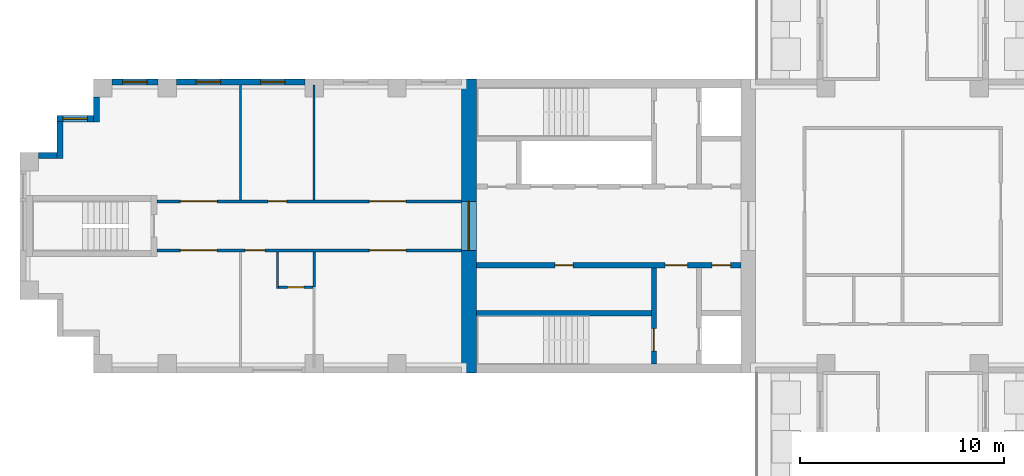
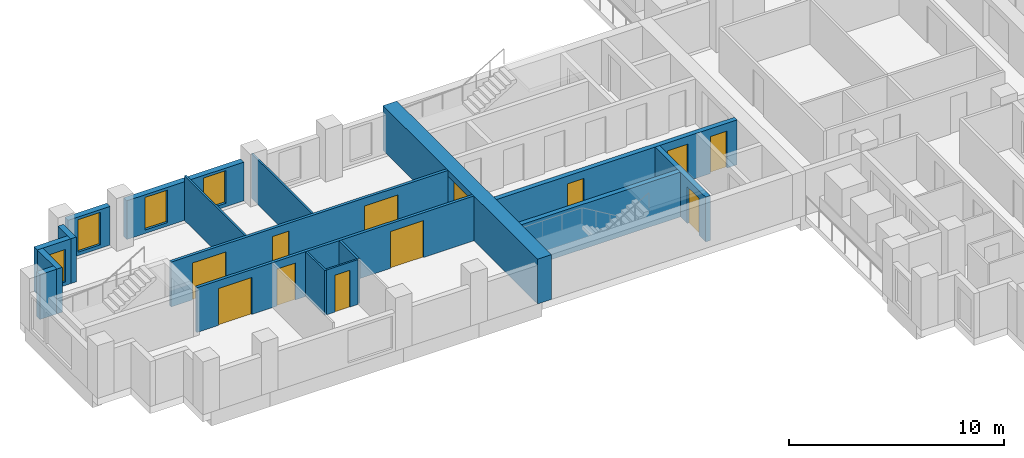
# One storey, part 3 of 12: 17 walls, 12 doors, 4 windows, 16 openings.
"""IFC4 building model written with IfcOpenShell, lengths in metres."""

from ifc_helpers import new_model, si_unit, direction, frame, frame_2d, origin, place, context, subcontext, project, spatial, rectangle, extrude, material, layer, layer_set, type_object, element, fill, save


model = new_model("IFC4")

# Units and contexts
model_context = context("Model", 3, precision=1e-05, world=origin(), true_north=direction((0.0, 1.0)))
body_context = subcontext(model_context, "Body", "Model", "MODEL_VIEW")
ifc_project = project(units=[si_unit("LENGTHUNIT", "METRE"), si_unit("AREAUNIT", "SQUARE_METRE"), si_unit("VOLUMEUNIT", "CUBIC_METRE"), si_unit("PLANEANGLEUNIT", "RADIAN"), si_unit("MASSUNIT", "GRAM", prefix="KILO")], contexts=[model_context])

# Site, building, storey
site_placement = place(None, origin())
site = spatial("IfcSite", under=ifc_project, at=site_placement, CompositionType="ELEMENT")
building_placement = place(site_placement, origin())
building = spatial("IfcBuilding", under=site, at=building_placement, Name="Fustian Cross Tower", CompositionType="ELEMENT")
storey_placement = place(building_placement, frame((0.0, 0.0, 159.300048828125)))
storey = spatial("IfcBuildingStorey", under=building, at=storey_placement, Name="L50", CompositionType="ELEMENT", Elevation=159.300048828125)

# Wall, openings, doors
ifc_material_1 = material(Name="Plasterboard on steel stud", Category="steel")
ifc_layer_1 = layer(ifc_material_1, 0.14990234375)
ifc_layer_set_1 = layer_set([ifc_layer_1], Name="Plasterboard on steel stud")
wall_type_1 = type_object("IfcWallType", Name="COMPARTMENT WALL 150 EI 60", PredefinedType="PARTITIONING", material=ifc_layer_set_1)
wall_1_placement = place(storey_placement, frame((-36.5, -1.199951171875, 0.0), z_axis=(0.0, 0.0, 1.0), x_axis=(1.0, 0.0, 0.0)))
wall_1 = element("IfcWall", 1, at=wall_1_placement, inside=storey, type_object=wall_type_1, Name="Partition 1", PredefinedType="PARTITIONING", context=body_context, shape_type="SweptSolid", body=[
    extrude(rectangle(XDim=14.89990234375, YDim=0.14990234375, at=frame_2d((7.449951171875, 0.0))), origin(), (0.0, 0.0, 1.0), 2.550048828125),
])
opening_1_placement = place(wall_1_placement, frame((10.39990234375, 0.0, 0.0)))
opening_1 = element("IfcOpeningElement", 2, at=opening_1_placement, cuts=wall_1, Name="Opening D22026", PredefinedType="OPENING", context=body_context, shape_type="SweptSolid", body=[
    extrude(rectangle(XDim=1.800048828125, YDim=2.10009765625, at=frame_2d((0.89990234375, 1.050048828125))), frame((0.0, 0.0849609375, 0.0), z_axis=(0.0, -1.0, 0.0), x_axis=(1.0, 0.0, 0.0)), (0.0, 0.0, 1.0), 0.169921875),
])
opening_2_placement = place(wall_1_placement, frame((4.300048828125, 0.0, 0.0)))
opening_2 = element("IfcOpeningElement", 3, at=opening_2_placement, cuts=wall_1, Name="Opening D22028", PredefinedType="OPENING", context=body_context, shape_type="SweptSolid", body=[
    extrude(rectangle(XDim=1.0, YDim=2.10009765625, at=frame_2d((0.5, 1.050048828125))), frame((0.0, 0.0849609375, 0.0), z_axis=(0.0, -1.0, 0.0), x_axis=(1.0, 0.0, 0.0)), (0.0, 0.0, 1.0), 0.169921875),
])
opening_3_placement = place(wall_1_placement, frame((1.14990234375, 0.0, 0.0)))
opening_3 = element("IfcOpeningElement", 4, at=opening_3_placement, cuts=wall_1, Name="Opening D22029", PredefinedType="OPENING", context=body_context, shape_type="SweptSolid", body=[
    extrude(rectangle(XDim=1.800048828125, YDim=2.10009765625, at=frame_2d((0.89990234375, 1.050048828125))), frame((0.0, 0.0849609375, 0.0), z_axis=(0.0, -1.0, 0.0), x_axis=(1.0, 0.0, 0.0)), (0.0, 0.0, 1.0), 0.169921875),
])
ifc_material_2 = material(Name="Timber fire door set", Category="wood")
door_type_1 = type_object("IfcDoorType", Name="FIRE DOUBLE DOOR 1800 FD30S", OperationType="DOUBLE_DOOR_DOUBLE_SWING", PredefinedType="DOOR", material=ifc_material_2)
door_1_placement = place(opening_1_placement, origin())
door_1 = element("IfcDoor", 5, at=door_1_placement, inside=storey, type_object=door_type_1, Name="Door D22026", OperationType="DOUBLE_DOOR_DOUBLE_SWING", OverallHeight=2.10009765625, OverallWidth=1.800048828125, PredefinedType="DOOR", context=body_context, shape_type="SweptSolid", body=[
    extrude(rectangle(XDim=1.800048828125, YDim=2.10009765625, at=frame_2d((0.89990234375, 1.050048828125))), frame((0.0, 0.02490234375, 0.0), z_axis=(0.0, -1.0, 0.0), x_axis=(1.0, 0.0, 0.0)), (0.0, 0.0, 1.0), 0.050048828125),
])
fill(opening_1, door_1)
door_2_placement = place(opening_3_placement, origin())
door_2 = element("IfcDoor", 6, at=door_2_placement, inside=storey, type_object=door_type_1, Name="Door D22029", OperationType="DOUBLE_DOOR_DOUBLE_SWING", OverallHeight=2.10009765625, OverallWidth=1.800048828125, PredefinedType="DOOR", context=body_context, shape_type="SweptSolid", body=[
    extrude(rectangle(XDim=1.800048828125, YDim=2.10009765625, at=frame_2d((0.89990234375, 1.050048828125))), frame((0.0, 0.02490234375, 0.0), z_axis=(0.0, -1.0, 0.0), x_axis=(1.0, 0.0, 0.0)), (0.0, 0.0, 1.0), 0.050048828125),
])
fill(opening_3, door_2)
ifc_material_3 = material(Name="Timber fire door set", Category="wood")
door_type_2 = type_object("IfcDoorType", Name="FIRE SWING DOOR 1000 FD30S", OperationType="SINGLE_SWING_LEFT", PredefinedType="DOOR", material=ifc_material_3)
door_3_placement = place(opening_2_placement, frame((1.0, 0.0, 0.0), z_axis=(0.0, 0.0, 1.0), x_axis=(-1.0, 0.0, 0.0)))
door_3 = element("IfcDoor", 7, at=door_3_placement, inside=storey, type_object=door_type_2, Name="Door D22028", OperationType="SINGLE_SWING_RIGHT", OverallHeight=2.10009765625, OverallWidth=1.0, PredefinedType="DOOR", context=body_context, shape_type="SweptSolid", body=[
    extrude(rectangle(XDim=1.0, YDim=2.10009765625, at=frame_2d((0.5, 1.050048828125))), frame((0.0, 0.02490234375, 0.0), z_axis=(0.0, -1.0, 0.0), x_axis=(1.0, 0.0, 0.0)), (0.0, 0.0, 1.0), 0.050048828125),
])
fill(opening_2, door_3)

wall_2_placement = place(storey_placement, frame((-36.5, 1.199951171875, 0.0), z_axis=(0.0, 0.0, 1.0), x_axis=(1.0, 0.0, 0.0)))
wall_2 = element("IfcWall", 8, at=wall_2_placement, inside=storey, type_object=wall_type_1, Name="Partition 2", PredefinedType="PARTITIONING", context=body_context, shape_type="SweptSolid", body=[
    extrude(rectangle(XDim=14.89990234375, YDim=0.14990234375, at=frame_2d((7.449951171875, 0.0))), origin(), (0.0, 0.0, 1.0), 2.550048828125),
])
opening_4_placement = place(wall_2_placement, frame((10.39990234375, 0.0, 0.0)))
opening_4 = element("IfcOpeningElement", 9, at=opening_4_placement, cuts=wall_2, Name="Opening D22030", PredefinedType="OPENING", context=body_context, shape_type="SweptSolid", body=[
    extrude(rectangle(XDim=1.800048828125, YDim=2.10009765625, at=frame_2d((0.89990234375, 1.050048828125))), frame((0.0, 0.0849609375, 0.0), z_axis=(0.0, -1.0, 0.0), x_axis=(1.0, 0.0, 0.0)), (0.0, 0.0, 1.0), 0.169921875),
])
opening_5_placement = place(wall_2_placement, frame((5.449951171875, 0.0, 0.0)))
opening_5 = element("IfcOpeningElement", 10, at=opening_5_placement, cuts=wall_2, Name="Opening D22031", PredefinedType="OPENING", context=body_context, shape_type="SweptSolid", body=[
    extrude(rectangle(XDim=0.89990234375, YDim=2.10009765625, at=frame_2d((0.449951171875, 1.050048828125))), frame((0.0, 0.0849609375, 0.0), z_axis=(0.0, -1.0, 0.0), x_axis=(1.0, 0.0, 0.0)), (0.0, 0.0, 1.0), 0.169921875),
])
opening_6_placement = place(wall_2_placement, frame((1.14990234375, 0.0, 0.0)))
opening_6 = element("IfcOpeningElement", 11, at=opening_6_placement, cuts=wall_2, Name="Opening D22032", PredefinedType="OPENING", context=body_context, shape_type="SweptSolid", body=[
    extrude(rectangle(XDim=1.800048828125, YDim=2.10009765625, at=frame_2d((0.89990234375, 1.050048828125))), frame((0.0, 0.0849609375, 0.0), z_axis=(0.0, -1.0, 0.0), x_axis=(1.0, 0.0, 0.0)), (0.0, 0.0, 1.0), 0.169921875),
])
door_4_placement = place(opening_4_placement, frame((1.800048828125, 0.0, 0.0), z_axis=(0.0, 0.0, 1.0), x_axis=(-1.0, 0.0, 0.0)))
door_4 = element("IfcDoor", 12, at=door_4_placement, inside=storey, type_object=door_type_1, Name="Door D22030", OperationType="DOUBLE_DOOR_DOUBLE_SWING", OverallHeight=2.10009765625, OverallWidth=1.800048828125, PredefinedType="DOOR", context=body_context, shape_type="SweptSolid", body=[
    extrude(rectangle(XDim=1.800048828125, YDim=2.10009765625, at=frame_2d((0.89990234375, 1.050048828125))), frame((0.0, 0.02490234375, 0.0), z_axis=(0.0, -1.0, 0.0), x_axis=(1.0, 0.0, 0.0)), (0.0, 0.0, 1.0), 0.050048828125),
])
fill(opening_4, door_4)
door_5_placement = place(opening_6_placement, frame((1.800048828125, 0.0, 0.0), z_axis=(0.0, 0.0, 1.0), x_axis=(-1.0, 0.0, 0.0)))
door_5 = element("IfcDoor", 13, at=door_5_placement, inside=storey, type_object=door_type_1, Name="Door D22032", OperationType="DOUBLE_DOOR_DOUBLE_SWING", OverallHeight=2.10009765625, OverallWidth=1.800048828125, PredefinedType="DOOR", context=body_context, shape_type="SweptSolid", body=[
    extrude(rectangle(XDim=1.800048828125, YDim=2.10009765625, at=frame_2d((0.89990234375, 1.050048828125))), frame((0.0, 0.02490234375, 0.0), z_axis=(0.0, -1.0, 0.0), x_axis=(1.0, 0.0, 0.0)), (0.0, 0.0, 1.0), 0.050048828125),
])
fill(opening_6, door_5)
ifc_material_4 = material(Name="Timber fire door set", Category="wood")
door_type_3 = type_object("IfcDoorType", Name="FIRE SWING DOOR 900 FD30S", OperationType="SINGLE_SWING_LEFT", PredefinedType="DOOR", material=ifc_material_4)
door_6_placement = place(opening_5_placement, origin())
door_6 = element("IfcDoor", 14, at=door_6_placement, inside=storey, type_object=door_type_3, Name="Door D22031", OperationType="SINGLE_SWING_LEFT", OverallHeight=2.10009765625, OverallWidth=0.89990234375, PredefinedType="DOOR", context=body_context, shape_type="SweptSolid", body=[
    extrude(rectangle(XDim=0.89990234375, YDim=2.10009765625, at=frame_2d((0.449951171875, 1.050048828125))), frame((0.0, 0.02490234375, 0.0), z_axis=(0.0, -1.0, 0.0), x_axis=(1.0, 0.0, 0.0)), (0.0, 0.0, 1.0), 0.050048828125),
])
fill(opening_5, door_6)

# Wall, opening, door
ifc_material_5 = material(Name="Concrete C60/75", Category="concrete")
ifc_layer_2 = layer(ifc_material_5, 0.75)
ifc_layer_set_2 = layer_set([ifc_layer_2], Name="Concrete C60/75")
wall_type_2 = type_object("IfcWallType", Name="CORE END WALL 750 C60/75", PredefinedType="SHEAR", material=ifc_layer_set_2)
wall_3_placement = place(storey_placement, frame((-21.22509765625, -7.199951171875, 0.0), z_axis=(0.0, 0.0, 1.0), x_axis=(0.0, 1.0, 0.0)))
wall_3 = element("IfcWall", 15, at=wall_3_placement, inside=storey, type_object=wall_type_2, Name="Core end wall", PredefinedType="SHEAR", context=body_context, shape_type="SweptSolid", body=[
    extrude(rectangle(XDim=14.39990234375, YDim=0.75, at=frame_2d((7.199951171875, 0.0))), origin(), (0.0, 0.0, 1.0), 2.550048828125),
])
opening_7_placement = place(wall_3_placement, frame((6.0, 0.0, 0.0)))
opening_7 = element("IfcOpeningElement", 16, at=opening_7_placement, cuts=wall_3, Name="Opening CD-19-28", PredefinedType="OPENING", context=body_context, shape_type="SweptSolid", body=[
    extrude(rectangle(XDim=2.39990234375, YDim=2.199951171875, at=frame_2d((1.199951171875, 1.10009765625))), frame((0.0, 0.385009765625, 0.0), z_axis=(0.0, -1.0, 0.0), x_axis=(1.0, 0.0, 0.0)), (0.0, 0.0, 1.0), 0.77001953125),
])
ifc_material_6 = material(Name="Steel", Category="steel")
door_type_4 = type_object("IfcDoorType", Name="FIRE DOOR FD30S DOUBLE 2400X2200", OperationType="DOUBLE_DOOR_DOUBLE_SWING", PredefinedType="DOOR", material=ifc_material_6)
door_7_placement = place(opening_7_placement, frame((2.39990234375, 0.0, 0.0), z_axis=(0.0, 0.0, 1.0), x_axis=(-1.0, 0.0, 0.0)))
door_7 = element("IfcDoor", 17, at=door_7_placement, inside=storey, type_object=door_type_4, Name="Core door CD-19-28", OperationType="DOUBLE_DOOR_DOUBLE_SWING", OverallHeight=2.199951171875, OverallWidth=2.39990234375, PredefinedType="DOOR", context=body_context, shape_type="SweptSolid", body=[
    extrude(rectangle(XDim=2.39990234375, YDim=2.199951171875, at=frame_2d((1.199951171875, 1.10009765625))), frame((0.0, 0.02490234375, 0.0), z_axis=(0.0, -1.0, 0.0), x_axis=(1.0, 0.0, 0.0)), (0.0, 0.0, 1.0), 0.050048828125),
])
fill(opening_7, door_7)

# Wall, openings, doors
ifc_material_7 = material(Name="Concrete C50/60", Category="concrete")
ifc_layer_3 = layer(ifc_material_7, 0.25)
ifc_layer_set_3 = layer_set([ifc_layer_3], Name="Concrete C50/60")
wall_type_3 = type_object("IfcWallType", Name="CORE LOBBY WALL 250 C50/60", PredefinedType="SHEAR", material=ifc_layer_set_3)
wall_4_placement = place(storey_placement, frame((-7.89990234375, -1.925048828125, 0.0), z_axis=(0.0, 0.0, 1.0), x_axis=(-1.0, 0.0, 0.0)))
wall_4 = element("IfcWall", 18, at=wall_4_placement, inside=storey, type_object=wall_type_3, Name="Core lobby wall", PredefinedType="SHEAR", context=body_context, shape_type="SweptSolid", body=[
    extrude(rectangle(XDim=12.9501953125, YDim=0.25, at=frame_2d((6.47509765625, 0.0))), origin(), (0.0, 0.0, 1.0), 2.550048828125),
])
opening_8_placement = place(wall_4_placement, frame((0.52490234375, 0.0, 0.0)))
opening_8 = element("IfcOpeningElement", 19, at=opening_8_placement, cuts=wall_4, Name="Opening CD-19-24", PredefinedType="OPENING", context=body_context, shape_type="SweptSolid", body=[
    extrude(rectangle(XDim=0.89990234375, YDim=2.10009765625, at=frame_2d((0.449951171875, 1.050048828125))), frame((0.0, 0.135009765625, 0.0), z_axis=(0.0, -1.0, 0.0), x_axis=(1.0, 0.0, 0.0)), (0.0, 0.0, 1.0), 0.27001953125),
])
opening_9_placement = place(wall_4_placement, frame((2.625, 0.0, 0.0)))
opening_9 = element("IfcOpeningElement", 20, at=opening_9_placement, cuts=wall_4, Name="Opening CD-19-26", PredefinedType="OPENING", context=body_context, shape_type="SweptSolid", body=[
    extrude(rectangle(XDim=1.10009765625, YDim=2.10009765625, at=frame_2d((0.550048828125, 1.050048828125))), frame((0.0, 0.135009765625, 0.0), z_axis=(0.0, -1.0, 0.0), x_axis=(1.0, 0.0, 0.0)), (0.0, 0.0, 1.0), 0.27001953125),
])
opening_10_placement = place(wall_4_placement, frame((8.22509765625, 0.0, 0.0)))
opening_10 = element("IfcOpeningElement", 21, at=opening_10_placement, cuts=wall_4, Name="Opening CD-19-30", PredefinedType="OPENING", context=body_context, shape_type="SweptSolid", body=[
    extrude(rectangle(XDim=0.89990234375, YDim=2.10009765625, at=frame_2d((0.449951171875, 1.050048828125))), frame((0.0, 0.135009765625, 0.0), z_axis=(0.0, -1.0, 0.0), x_axis=(1.0, 0.0, 0.0)), (0.0, 0.0, 1.0), 0.27001953125),
])
ifc_material_8 = material(Name="Steel", Category="steel")
door_type_5 = type_object("IfcDoorType", Name="FIRE DOOR FD30S 1100X2100", OperationType="SINGLE_SWING_LEFT", PredefinedType="DOOR", material=ifc_material_8)
door_8_placement = place(opening_9_placement, frame((1.10009765625, 0.0, 0.0), z_axis=(0.0, 0.0, 1.0), x_axis=(-1.0, 0.0, 0.0)))
door_8 = element("IfcDoor", 22, at=door_8_placement, inside=storey, type_object=door_type_5, Name="Core door CD-19-26", OperationType="SINGLE_SWING_RIGHT", OverallHeight=2.10009765625, OverallWidth=1.10009765625, PredefinedType="DOOR", context=body_context, shape_type="SweptSolid", body=[
    extrude(rectangle(XDim=1.10009765625, YDim=2.10009765625, at=frame_2d((0.550048828125, 1.050048828125))), frame((0.0, 0.02490234375, 0.0), z_axis=(0.0, -1.0, 0.0), x_axis=(1.0, 0.0, 0.0)), (0.0, 0.0, 1.0), 0.050048828125),
])
fill(opening_9, door_8)
ifc_material_9 = material(Name="Steel", Category="steel")
door_type_6 = type_object("IfcDoorType", Name="FIRE DOOR FD30S 900X2100", OperationType="SINGLE_SWING_LEFT", PredefinedType="DOOR", material=ifc_material_9)
door_9_placement = place(opening_8_placement, origin())
door_9 = element("IfcDoor", 23, at=door_9_placement, inside=storey, type_object=door_type_6, Name="Core door CD-19-24", OperationType="SINGLE_SWING_LEFT", OverallHeight=2.10009765625, OverallWidth=0.89990234375, PredefinedType="DOOR", context=body_context, shape_type="SweptSolid", body=[
    extrude(rectangle(XDim=0.89990234375, YDim=2.10009765625, at=frame_2d((0.449951171875, 1.050048828125))), frame((0.0, 0.02490234375, 0.0), z_axis=(0.0, -1.0, 0.0), x_axis=(1.0, 0.0, 0.0)), (0.0, 0.0, 1.0), 0.050048828125),
])
fill(opening_8, door_9)
door_10_placement = place(opening_10_placement, origin())
door_10 = element("IfcDoor", 24, at=door_10_placement, inside=storey, type_object=door_type_6, Name="Core door CD-19-30", OperationType="SINGLE_SWING_RIGHT", OverallHeight=2.10009765625, OverallWidth=0.89990234375, PredefinedType="DOOR", context=body_context, shape_type="SweptSolid", body=[
    extrude(rectangle(XDim=0.89990234375, YDim=2.10009765625, at=frame_2d((0.449951171875, 1.050048828125))), frame((0.0, 0.02490234375, 0.0), z_axis=(0.0, -1.0, 0.0), x_axis=(1.0, 0.0, 0.0)), (0.0, 0.0, 1.0), 0.050048828125),
])
fill(opening_10, door_10)

# Wall
ifc_material_10 = material(Name="Concrete C50/60", Category="concrete")
ifc_layer_4 = layer(ifc_material_10, 0.25)
ifc_layer_set_4 = layer_set([ifc_layer_4], Name="Concrete C50/60")
wall_type_4 = type_object("IfcWallType", Name="CORE SHAFT WALL 250 C50/60", PredefinedType="SHEAR", material=ifc_layer_set_4)
wall_5_placement = place(storey_placement, frame((-12.300048828125, -4.27490234375, 0.0), z_axis=(0.0, 0.0, 1.0), x_axis=(-1.0, 0.0, 0.0)))
element("IfcWall", 25, at=wall_5_placement, inside=storey, type_object=wall_type_4, Name="Core shaft wall", PredefinedType="SHEAR", context=body_context, shape_type="SweptSolid", body=[
    extrude(rectangle(XDim=8.550048828125, YDim=0.25, at=frame_2d((4.27490234375, 0.0))), origin(), (0.0, 0.0, 1.0), 2.550048828125),
])

# Wall, opening, door
wall_6_placement = place(storey_placement, frame((-12.175048828125, -2.050048828125, 0.0), z_axis=(0.0, 0.0, 1.0), x_axis=(0.0, -1.0, 0.0)))
wall_6 = element("IfcWall", 26, at=wall_6_placement, inside=storey, type_object=wall_type_4, Name="Core shaft wall", PredefinedType="SHEAR", context=body_context, shape_type="SweptSolid", body=[
    extrude(rectangle(XDim=4.699951171875, YDim=0.25, at=frame_2d((2.35009765625, 0.0))), origin(), (0.0, 0.0, 1.0), 2.550048828125),
])
opening_11_placement = place(wall_6_placement, frame((2.97509765625, 0.0, 0.0)))
opening_11 = element("IfcOpeningElement", 27, at=opening_11_placement, cuts=wall_6, Name="Opening CD-19-22", PredefinedType="OPENING", context=body_context, shape_type="SweptSolid", body=[
    extrude(rectangle(XDim=1.10009765625, YDim=2.10009765625, at=frame_2d((0.550048828125, 1.050048828125))), frame((0.0, 0.135009765625, 0.0), z_axis=(0.0, -1.0, 0.0), x_axis=(1.0, 0.0, 0.0)), (0.0, 0.0, 1.0), 0.27001953125),
])
ifc_material_11 = material(Name="Steel", Category="steel")
door_type_7 = type_object("IfcDoorType", Name="FIRE DOOR FD60S 1100X2100", OperationType="SINGLE_SWING_LEFT", PredefinedType="DOOR", material=ifc_material_11)
door_11_placement = place(opening_11_placement, frame((1.10009765625, 0.0, 0.0), z_axis=(0.0, 0.0, 1.0), x_axis=(-1.0, 0.0, 0.0)))
door_11 = element("IfcDoor", 28, at=door_11_placement, inside=storey, type_object=door_type_7, Name="Core door CD-19-22", OperationType="SINGLE_SWING_RIGHT", OverallHeight=2.10009765625, OverallWidth=1.10009765625, PredefinedType="DOOR", context=body_context, shape_type="SweptSolid", body=[
    extrude(rectangle(XDim=1.10009765625, YDim=2.10009765625, at=frame_2d((0.550048828125, 1.050048828125))), frame((0.0, 0.02490234375, 0.0), z_axis=(0.0, -1.0, 0.0), x_axis=(1.0, 0.0, 0.0)), (0.0, 0.0, 1.0), 0.050048828125),
])
fill(opening_11, door_11)

# Walls
ifc_material_12 = material(Name="Plasterboard on steel stud", Category="steel")
ifc_layer_5 = layer(ifc_material_12, 0.10009765625)
ifc_layer_set_5 = layer_set([ifc_layer_5], Name="Plasterboard on steel stud")
wall_type_5 = type_object("IfcWallType", Name="PARTITION 100 STUD", PredefinedType="PARTITIONING", material=ifc_layer_set_5)
wall_7_placement = place(storey_placement, frame((-32.39990234375, 1.27490234375, 0.0), z_axis=(0.0, 0.0, 1.0), x_axis=(0.0, 1.0, 0.0)))
element("IfcWall", 29, at=wall_7_placement, inside=storey, type_object=wall_type_5, Name="Partition 4", PredefinedType="PARTITIONING", context=body_context, shape_type="SweptSolid", body=[
    extrude(rectangle(XDim=5.625, YDim=0.10009765625, at=frame_2d((2.8125, 0.0))), origin(), (0.0, 0.0, 1.0), 2.550048828125),
])
wall_8_placement = place(storey_placement, frame((-30.60009765625, -3.050048828125, 0.0), z_axis=(0.0, 0.0, 1.0), x_axis=(0.0, 1.0, 0.0)))
element("IfcWall", 30, at=wall_8_placement, inside=storey, type_object=wall_type_5, Name="Partition 5", PredefinedType="PARTITIONING", context=body_context, shape_type="SweptSolid", body=[
    extrude(rectangle(XDim=1.775146484375, YDim=0.10009765625, at=frame_2d((0.8876953125, 0.0))), origin(), (0.0, 0.0, 1.0), 2.550048828125),
])

# Wall, opening, door
wall_9_placement = place(storey_placement, frame((-30.550048828125, -3.0, 0.0), z_axis=(0.0, 0.0, 1.0), x_axis=(1.0, 0.0, 0.0)))
wall_9 = element("IfcWall", 31, at=wall_9_placement, inside=storey, type_object=wall_type_5, Name="Partition 6", PredefinedType="PARTITIONING", context=body_context, shape_type="SweptSolid", body=[
    extrude(rectangle(XDim=1.6875, YDim=0.10009765625, at=frame_2d((0.84375, 0.0))), origin(), (0.0, 0.0, 1.0), 2.550048828125),
])
opening_12_placement = place(wall_9_placement, frame((0.449951171875, 0.0, 0.0)))
opening_12 = element("IfcOpeningElement", 32, at=opening_12_placement, cuts=wall_9, Name="Opening D22027", PredefinedType="OPENING", context=body_context, shape_type="SweptSolid", body=[
    extrude(rectangle(XDim=0.800048828125, YDim=2.10009765625, at=frame_2d((0.39990234375, 1.050048828125))), frame((0.0, 0.06005859375, 0.0), z_axis=(0.0, -1.0, 0.0), x_axis=(1.0, 0.0, 0.0)), (0.0, 0.0, 1.0), 0.1201171875),
])
ifc_material_13 = material(Name="Painted timber", Category="wood")
door_type_8 = type_object("IfcDoorType", Name="SWING DOOR 800", OperationType="SINGLE_SWING_LEFT", PredefinedType="DOOR", material=ifc_material_13)
door_12_placement = place(opening_12_placement, origin())
door_12 = element("IfcDoor", 33, at=door_12_placement, inside=storey, type_object=door_type_8, Name="Door D22027", OperationType="SINGLE_SWING_RIGHT", OverallHeight=2.10009765625, OverallWidth=0.800048828125, PredefinedType="DOOR", context=body_context, shape_type="SweptSolid", body=[
    extrude(rectangle(XDim=0.800048828125, YDim=2.10009765625, at=frame_2d((0.39990234375, 1.050048828125))), frame((0.0, 0.02490234375, 0.0), z_axis=(0.0, -1.0, 0.0), x_axis=(1.0, 0.0, 0.0)), (0.0, 0.0, 1.0), 0.050048828125),
])
fill(opening_12, door_12)

# Walls
wall_10_placement = place(storey_placement, frame((-28.800048828125, 1.27490234375, 0.0), z_axis=(0.0, 0.0, 1.0), x_axis=(0.0, 1.0, 0.0)))
element("IfcWall", 34, at=wall_10_placement, inside=storey, type_object=wall_type_5, Name="Partition 9", PredefinedType="PARTITIONING", context=body_context, shape_type="SweptSolid", body=[
    extrude(rectangle(XDim=5.625, YDim=0.10009765625, at=frame_2d((2.8125, 0.0))), origin(), (0.0, 0.0, 1.0), 2.550048828125),
])
ifc_material_14 = material(Name="Plasterboard on steel stud", Category="steel")
ifc_layer_6 = layer(ifc_material_14, 0.125)
ifc_layer_set_6 = layer_set([ifc_layer_6], Name="Plasterboard on steel stud")
wall_type_6 = type_object("IfcWallType", Name="WET WALL 125 STUD", PredefinedType="PARTITIONING", material=ifc_layer_set_6)
wall_11_placement = place(storey_placement, frame((-28.800048828125, -3.0, 0.0), z_axis=(0.0, 0.0, 1.0), x_axis=(0.0, 1.0, 0.0)))
element("IfcWall", 35, at=wall_11_placement, inside=storey, type_object=wall_type_6, Name="Partition 8", PredefinedType="PARTITIONING", context=body_context, shape_type="SweptSolid", body=[
    extrude(rectangle(XDim=1.72509765625, YDim=0.125, at=frame_2d((0.862548828125, 0.0))), origin(), (0.0, 0.0, 1.0), 2.550048828125),
])

# Wall, openings, windows
ifc_material_15 = material(Name="Dark aluminium cladding on insulated backing wall", Category="aluminium")
ifc_layer_7 = layer(ifc_material_15, 0.300048828125)
ifc_layer_set_7 = layer_set([ifc_layer_7], Name="Dark aluminium cladding on insulated backing wall")
wall_type_7 = type_object("IfcWallType", Name="XW1 EXTERNAL WALL 300", PredefinedType="SOLIDWALL", material=ifc_layer_set_7)
wall_12_placement = place(storey_placement, frame((-29.25, 7.050048828125, 0.0), z_axis=(0.0, 0.0, 1.0), x_axis=(-1.0, 0.0, 0.0)))
wall_12 = element("IfcWall", 36, at=wall_12_placement, inside=storey, type_object=wall_type_7, Name="External wall", PredefinedType="SOLIDWALL", context=body_context, shape_type="SweptSolid", body=[
    extrude(rectangle(XDim=6.300048828125, YDim=0.300048828125, at=frame_2d((3.14990234375, 0.0))), origin(), (0.0, 0.0, 1.0), 2.199951171875),
])
opening_13_placement = place(wall_12_placement, frame((0.97509765625, 0.0, 0.199951171875)))
opening_13 = element("IfcOpeningElement", 37, at=opening_13_placement, cuts=wall_12, Name="Opening WN3", PredefinedType="OPENING", context=body_context, shape_type="SweptSolid", body=[
    extrude(rectangle(XDim=1.199951171875, YDim=1.85009765625, at=frame_2d((0.60009765625, 0.925048828125))), frame((0.0, 0.159912109375, 0.0), z_axis=(0.0, -1.0, 0.0), x_axis=(1.0, 0.0, 0.0)), (0.0, 0.0, 1.0), 0.320068359375),
])
opening_14_placement = place(wall_12_placement, frame((4.125, 0.0, 0.199951171875)))
opening_14 = element("IfcOpeningElement", 38, at=opening_14_placement, cuts=wall_12, Name="Opening WN3", PredefinedType="OPENING", context=body_context, shape_type="SweptSolid", body=[
    extrude(rectangle(XDim=1.199951171875, YDim=1.85009765625, at=frame_2d((0.60009765625, 0.925048828125))), frame((0.0, 0.159912109375, 0.0), z_axis=(0.0, -1.0, 0.0), x_axis=(1.0, 0.0, 0.0)), (0.0, 0.0, 1.0), 0.320068359375),
])
ifc_material_16 = material(Name="Dark anodised aluminium and double glazing", Category="aluminium")
window_type = type_object("IfcWindowType", Name="WN3 WINDOW 1200X1850", PartitioningType="SINGLE_PANEL", PredefinedType="WINDOW", material=ifc_material_16)
window_1_placement = place(opening_13_placement, origin())
window_1 = element("IfcWindow", 39, at=window_1_placement, inside=storey, type_object=window_type, Name="Window", OverallHeight=1.85009765625, OverallWidth=1.199951171875, PartitioningType="SINGLE_PANEL", PredefinedType="WINDOW", context=body_context, shape_type="SweptSolid", body=[
    extrude(rectangle(XDim=1.199951171875, YDim=1.85009765625, at=frame_2d((0.60009765625, 0.925048828125))), frame((0.0, 0.030029296875, 0.0), z_axis=(0.0, -1.0, 0.0), x_axis=(1.0, 0.0, 0.0)), (0.0, 0.0, 1.0), 0.06005859375),
])
fill(opening_13, window_1)
window_2_placement = place(opening_14_placement, origin())
window_2 = element("IfcWindow", 40, at=window_2_placement, inside=storey, type_object=window_type, Name="Window", OverallHeight=1.85009765625, OverallWidth=1.199951171875, PartitioningType="SINGLE_PANEL", PredefinedType="WINDOW", context=body_context, shape_type="SweptSolid", body=[
    extrude(rectangle(XDim=1.199951171875, YDim=1.85009765625, at=frame_2d((0.60009765625, 0.925048828125))), frame((0.0, 0.030029296875, 0.0), z_axis=(0.0, -1.0, 0.0), x_axis=(1.0, 0.0, 0.0)), (0.0, 0.0, 1.0), 0.06005859375),
])
fill(opening_14, window_2)

# Wall, opening, window
wall_13_placement = place(storey_placement, frame((-36.449951171875, 7.050048828125, 0.0), z_axis=(0.0, 0.0, 1.0), x_axis=(-1.0, 0.0, 0.0)))
wall_13 = element("IfcWall", 41, at=wall_13_placement, inside=storey, type_object=wall_type_7, Name="External wall", PredefinedType="SOLIDWALL", context=body_context, shape_type="SweptSolid", body=[
    extrude(rectangle(XDim=2.25, YDim=0.300048828125, at=frame_2d((1.125, 0.0))), origin(), (0.0, 0.0, 1.0), 2.199951171875),
])
opening_15_placement = place(wall_13_placement, frame((0.52490234375, 0.0, 0.199951171875)))
opening_15 = element("IfcOpeningElement", 42, at=opening_15_placement, cuts=wall_13, Name="Opening WN3", PredefinedType="OPENING", context=body_context, shape_type="SweptSolid", body=[
    extrude(rectangle(XDim=1.199951171875, YDim=1.85009765625, at=frame_2d((0.60009765625, 0.925048828125))), frame((0.0, 0.159912109375, 0.0), z_axis=(0.0, -1.0, 0.0), x_axis=(1.0, 0.0, 0.0)), (0.0, 0.0, 1.0), 0.320068359375),
])
window_3_placement = place(opening_15_placement, origin())
window_3 = element("IfcWindow", 43, at=window_3_placement, inside=storey, type_object=window_type, Name="Window", OverallHeight=1.85009765625, OverallWidth=1.199951171875, PartitioningType="SINGLE_PANEL", PredefinedType="WINDOW", context=body_context, shape_type="SweptSolid", body=[
    extrude(rectangle(XDim=1.199951171875, YDim=1.85009765625, at=frame_2d((0.60009765625, 0.925048828125))), frame((0.0, 0.030029296875, 0.0), z_axis=(0.0, -1.0, 0.0), x_axis=(1.0, 0.0, 0.0)), (0.0, 0.0, 1.0), 0.06005859375),
])
fill(opening_15, window_3)

# Wall
wall_14_placement = place(storey_placement, frame((-39.449951171875, 6.300048828125, 0.0), z_axis=(0.0, 0.0, 1.0), x_axis=(0.0, -1.0, 0.0)))
element("IfcWall", 44, at=wall_14_placement, inside=storey, type_object=wall_type_7, Name="External wall", PredefinedType="SOLIDWALL", context=body_context, shape_type="SweptSolid", body=[
    extrude(rectangle(XDim=1.199951171875, YDim=0.300048828125, at=frame_2d((0.60009765625, 0.0))), origin(), (0.0, 0.0, 1.0), 2.550048828125),
])

# Wall, opening, window
wall_15_placement = place(storey_placement, frame((-39.60009765625, 5.25, 0.0), z_axis=(0.0, 0.0, 1.0), x_axis=(-1.0, 0.0, 0.0)))
wall_15 = element("IfcWall", 45, at=wall_15_placement, inside=storey, type_object=wall_type_7, Name="External wall", PredefinedType="SOLIDWALL", context=body_context, shape_type="SweptSolid", body=[
    extrude(rectangle(XDim=1.7998046875, YDim=0.300048828125, at=frame_2d((0.89990234375, 0.0))), origin(), (0.0, 0.0, 1.0), 2.550048828125),
])
opening_16_placement = place(wall_15_placement, frame((0.300048828125, 0.0, 0.199951171875)))
opening_16 = element("IfcOpeningElement", 46, at=opening_16_placement, cuts=wall_15, Name="Opening WN3", PredefinedType="OPENING", context=body_context, shape_type="SweptSolid", body=[
    extrude(rectangle(XDim=1.199951171875, YDim=1.85009765625, at=frame_2d((0.60009765625, 0.925048828125))), frame((0.0, 0.159912109375, 0.0), z_axis=(0.0, -1.0, 0.0), x_axis=(1.0, 0.0, 0.0)), (0.0, 0.0, 1.0), 0.320068359375),
])
window_4_placement = place(opening_16_placement, origin())
window_4 = element("IfcWindow", 47, at=window_4_placement, inside=storey, type_object=window_type, Name="Window", OverallHeight=1.85009765625, OverallWidth=1.199951171875, PartitioningType="SINGLE_PANEL", PredefinedType="WINDOW", context=body_context, shape_type="SweptSolid", body=[
    extrude(rectangle(XDim=1.199951171875, YDim=1.85009765625, at=frame_2d((0.60009765625, 0.925048828125))), frame((0.0, 0.030029296875, 0.0), z_axis=(0.0, -1.0, 0.0), x_axis=(1.0, 0.0, 0.0)), (0.0, 0.0, 1.0), 0.06005859375),
])
fill(opening_16, window_4)

# Walls
wall_16_placement = place(storey_placement, frame((-41.25, 5.10009765625, 0.0), z_axis=(0.0, 0.0, 1.0), x_axis=(0.0, -1.0, 0.0)))
element("IfcWall", 48, at=wall_16_placement, inside=storey, type_object=wall_type_7, Name="External wall", PredefinedType="SOLIDWALL", context=body_context, shape_type="SweptSolid", body=[
    extrude(rectangle(XDim=1.800048828125, YDim=0.300048828125, at=frame_2d((0.89990234375, 0.0))), origin(), (0.0, 0.0, 1.0), 2.550048828125),
])
wall_17_placement = place(storey_placement, frame((-41.39990234375, 3.449951171875, 0.0), z_axis=(0.0, 0.0, 1.0), x_axis=(-1.0, 0.0, 0.0)))
element("IfcWall", 49, at=wall_17_placement, inside=storey, type_object=wall_type_7, Name="External wall", PredefinedType="SOLIDWALL", context=body_context, shape_type="SweptSolid", body=[
    extrude(rectangle(XDim=0.900146484375, YDim=0.300048828125, at=frame_2d((0.4501953125, 0.0))), origin(), (0.0, 0.0, 1.0), 2.550048828125),
])

save(model, "model.ifc")
